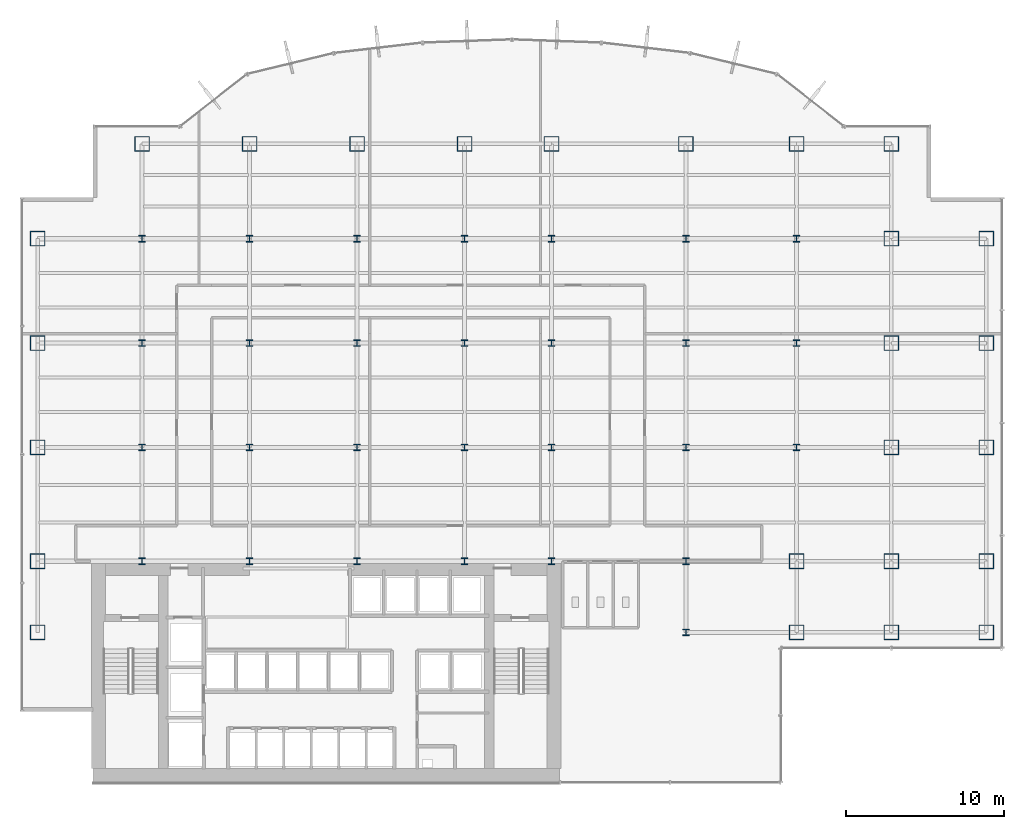
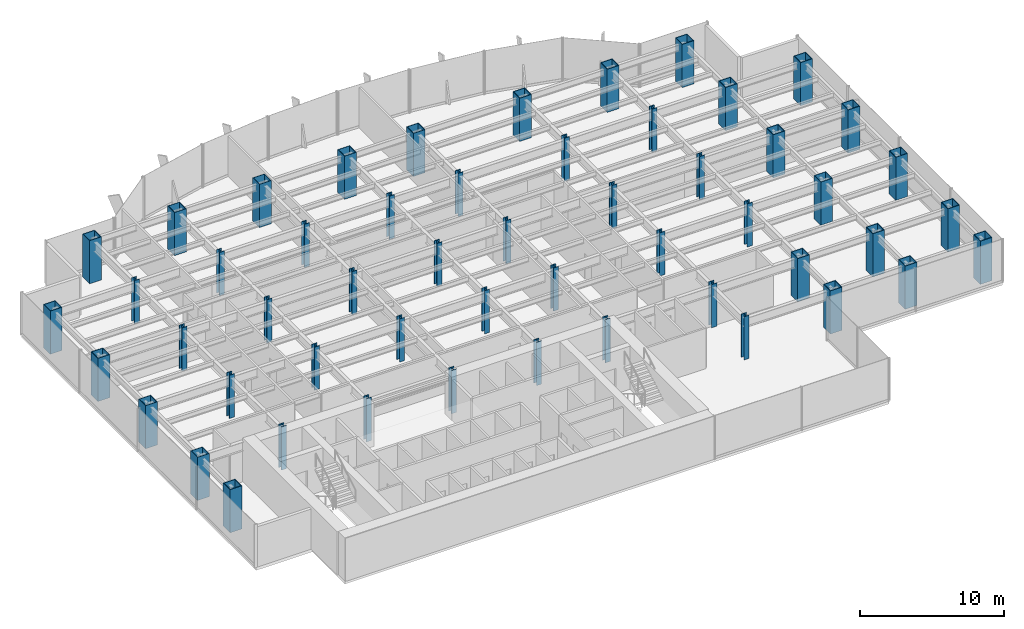
# One storey, part 1 of 22: 53 columns.
"""IFC4 building model written with IfcOpenShell, lengths in metres."""

import ifcopenshell
import ifcopenshell.guid

model = None  # the IFC model being written
_history = None  # IfcOwnerHistory: only IFC2X3 demands one
_inside = {}  # id of a spatial element -> (the spatial element, [elements in it])
_under = {}  # id of a project, library or spatial element -> (it, [spatial elements below it])
_declared = {}  # id of a project -> (the project, [libraries it declares])
_typed = {}  # id of a type object -> (the type object, [elements of that type])
_made_of = {}  # id of a material, layer set ... -> (it, [elements and type objects made of it])


def new_model(schema):
    """Start an empty IFC model of exactly this schema.

    Asked for "IFC4X3", IfcOpenShell would pick the latest addendum, in which some entities
    have other attributes; the version numbers below select the first issue.
    IFC2X3 requires an IfcOwnerHistory on every rooted entity: one is made here for all.
    """
    global model, _history
    if schema == "IFC4X3":
        model = ifcopenshell.file(schema_version=(4, 3, 0, 0))
    else:
        model = ifcopenshell.file(schema=schema)
    _inside.clear()
    _under.clear()
    _declared.clear()
    _typed.clear()
    _made_of.clear()
    _history = None
    if model.schema == "IFC2X3":
        org = make("IfcOrganization", Name="unknown")
        user = make(
            "IfcPersonAndOrganization",
            ThePerson=make("IfcPerson", FamilyName="unknown"),
            TheOrganization=org,
        )
        app = make(
            "IfcApplication",
            ApplicationDeveloper=org,
            Version="unknown",
            ApplicationFullName="unknown",
            ApplicationIdentifier="unknown",
        )
        _history = make(
            "IfcOwnerHistory",
            OwningUser=user,
            OwningApplication=app,
            ChangeAction="ADDED",
            CreationDate=0,
        )
    return model


def make(cls, **values):
    """One entity of the class cls with the attributes given. An attribute that is None is left unset."""
    return model.create_entity(
        cls, **{name: value for name, value in values.items() if value is not None}
    )


def rooted(cls, **values):
    """An entity with a GlobalId (a new one), such as an element, a storey or a relation."""
    return make(cls, GlobalId=ifcopenshell.guid.new(), OwnerHistory=_history, **values)


def si_unit(unit_type, name, prefix=None):
    """IfcSIUnit, for example si_unit("LENGTHUNIT", "METRE", prefix="MILLI")."""
    return make("IfcSIUnit", UnitType=unit_type, Prefix=prefix, Name=name)


def derived_unit(unit_type, elements):
    """IfcDerivedUnit: a product of units, each with its exponent."""
    return make(
        "IfcDerivedUnit",
        Elements=[
            make("IfcDerivedUnitElement", Unit=unit, Exponent=power)
            for unit, power in elements
        ],
        UnitType=unit_type,
    )


def assignment(units):
    """IfcUnitAssignment: the units of a project."""
    return None if units is None else make("IfcUnitAssignment", Units=units)


def point(xyz):
    """IfcCartesianPoint."""
    return None if xyz is None else make("IfcCartesianPoint", Coordinates=xyz)


def direction(xyz):
    """IfcDirection."""
    return None if xyz is None else make("IfcDirection", DirectionRatios=xyz)


def frame(location, z_axis=None, x_axis=None):
    """IfcAxis2Placement3D, a coordinate frame: its origin and axes. An axis left out is left unset."""
    return make(
        "IfcAxis2Placement3D",
        Location=point(location),
        Axis=direction(z_axis),
        RefDirection=direction(x_axis),
    )


def frame_2d(location, x_axis=None):
    """IfcAxis2Placement2D, a coordinate frame in the plane: its origin and x axis."""
    return make(
        "IfcAxis2Placement2D", Location=point(location), RefDirection=direction(x_axis)
    )


def origin():
    """The frame at (0, 0, 0) with its axes left unset."""
    return frame((0.0, 0.0, 0.0))


def origin_2d():
    """The frame at (0, 0) in the plane with its x axis left unset."""
    return frame_2d((0.0, 0.0))


def place(relative_to, where):
    """IfcLocalPlacement: puts the frame where relative to a parent placement (None: the world)."""
    return make(
        "IfcLocalPlacement", PlacementRelTo=relative_to, RelativePlacement=where
    )


def context(
    kind, dimensions, precision=None, world=None, true_north=None, identifier=None
):
    """IfcGeometricRepresentationContext, for example the 3D "Model" context."""
    return make(
        "IfcGeometricRepresentationContext",
        ContextIdentifier=identifier,
        ContextType=kind,
        CoordinateSpaceDimension=dimensions,
        Precision=precision,
        WorldCoordinateSystem=world,
        TrueNorth=true_north,
    )


def subcontext(parent, identifier, kind, view, scale=None):
    """IfcGeometricRepresentationSubContext, for example "Body" below "Model"."""
    return make(
        "IfcGeometricRepresentationSubContext",
        ContextIdentifier=identifier,
        ContextType=kind,
        ParentContext=parent,
        TargetScale=scale,
        TargetView=view,
    )


def project(units=None, contexts=None):
    """IfcProject with its units and contexts."""
    return rooted(
        "IfcProject",
        Name="project",
        RepresentationContexts=contexts,
        UnitsInContext=assignment(units),
    )


def spatial(cls, under=None, at=None, **own):
    """A site, building, storey or space (cls), placed at a placement, below another one or the project."""
    s = rooted(cls, ObjectPlacement=at, **own)
    if under is not None:
        _under.setdefault(under.id(), (under, []))[1].append(s)
    return s


def profile(cls, at=None, kind="AREA", **sizes):
    """A parametric profile (cls). Its sizes go by their IFC names, for example OverallWidth=200.0."""
    return make(cls, ProfileType=kind, Position=at, **sizes)


def hollow_rectangle(**sizes):
    """IfcRectangleHollowProfileDef."""
    return profile("IfcRectangleHollowProfileDef", **sizes)


def i_section(**sizes):
    """IfcIShapeProfileDef."""
    return profile("IfcIShapeProfileDef", **sizes)


def extrude(swept, where, along, depth):
    """IfcExtrudedAreaSolid: the profile swept, set in the frame where, extruded along a direction by depth."""
    return make(
        "IfcExtrudedAreaSolid",
        SweptArea=swept,
        Position=where,
        ExtrudedDirection=direction(along),
        Depth=depth,
    )


def shape(context_of_items, identifier, shape_type, items):
    """IfcShapeRepresentation: the items that make up one representation, for example the "Body"."""
    return make(
        "IfcShapeRepresentation",
        ContextOfItems=context_of_items,
        RepresentationIdentifier=identifier,
        RepresentationType=shape_type,
        Items=items,
    )


def source(mapping_origin, context_of_items, identifier, shape_type, items):
    """IfcRepresentationMap: a shape defined once, which mapped items show again and again."""
    return make(
        "IfcRepresentationMap",
        MappingOrigin=mapping_origin,
        MappedRepresentation=shape(context_of_items, identifier, shape_type, items),
    )


def transform(
    local_origin,
    x_axis=None,
    y_axis=None,
    z_axis=None,
    scale=None,
    scale2=None,
    scale3=None,
    uniform=True,
):
    """IfcCartesianTransformationOperator3D, or its non-uniform kind. x_axis, y_axis, z_axis: its Axis1, 2, 3."""
    if uniform:
        return make(
            "IfcCartesianTransformationOperator3D",
            Axis1=direction(x_axis),
            Axis2=direction(y_axis),
            LocalOrigin=point(local_origin),
            Scale=scale,
            Axis3=direction(z_axis),
        )
    return make(
        "IfcCartesianTransformationOperator3DnonUniform",
        Axis1=direction(x_axis),
        Axis2=direction(y_axis),
        LocalOrigin=point(local_origin),
        Scale=scale,
        Axis3=direction(z_axis),
        Scale2=scale2,
        Scale3=scale3,
    )


def mapped(mapping_source, mapping_target):
    """IfcMappedItem: shows the shape of a source again, moved by a transform."""
    return make(
        "IfcMappedItem", MappingSource=mapping_source, MappingTarget=mapping_target
    )


def material(Name=None, Category=None):
    """IfcMaterial."""
    return make("IfcMaterial", Name=Name, Category=Category)


def material_profile(
    of_material, cross_section, Name=None, Category=None, Priority=None
):
    """IfcMaterialProfile: a cross section and its material."""
    return make(
        "IfcMaterialProfile",
        Name=Name,
        Material=of_material,
        Profile=cross_section,
        Priority=Priority,
        Category=Category,
    )


def profile_set(profiles, Name=None, composite=None):
    """IfcMaterialProfileSet."""
    return make(
        "IfcMaterialProfileSet",
        Name=Name,
        MaterialProfiles=profiles,
        CompositeProfile=composite,
    )


def made_of(thing, what):
    """Note that an element or type object is made of a material, layer set ...; save() writes the relation."""
    if what is not None:
        _made_of.setdefault(what.id(), (what, []))[1].append(thing)
    return thing


def type_object(cls, material=None, **own):
    """A type object (cls), such as IfcWallType, which elements share."""
    return made_of(rooted(cls, **own), material)


def element(
    cls,
    number,
    at=None,
    inside=None,
    cuts=None,
    type_object=None,
    material=None,
    context=None,
    identifier="Body",
    shape_type=None,
    held_by="IfcProductDefinitionShape",
    body=None,
    shapes=None,
    **own,
):
    """One element of the class cls, such as IfcWall. Its Tag is "e" and its number.

    at: its placement. inside: the storey or other place that contains it. cuts: it is an
    opening in that element (IfcRelVoidsElement). A single representation is given by context,
    identifier, shape_type and body (its items); several are given by shapes. held_by: the class
    of the entity that holds the representations. save() writes the other relations.
    """
    e = rooted(cls, Tag="e%d" % number, ObjectPlacement=at, **own)
    if body is not None:
        shapes = [shape(context, identifier, shape_type, body)]
    if shapes is not None:
        e.Representation = make(held_by, Representations=shapes)
    if inside is not None:
        _inside.setdefault(inside.id(), (inside, []))[1].append(e)
    if cuts is not None:
        rooted(
            "IfcRelVoidsElement", RelatingBuildingElement=cuts, RelatedOpeningElement=e
        )
    if type_object is not None:
        _typed.setdefault(type_object.id(), (type_object, []))[1].append(e)
    return made_of(e, material)


def aggregate(whole, parts):
    """IfcRelAggregates: a whole, such as a stair, and the parts it consists of."""
    return rooted("IfcRelAggregates", RelatingObject=whole, RelatedObjects=parts)


def save(model, path):
    """Write the relations noted so far, then the file.

    IfcRelAggregates (storeys below a building ...), IfcRelContainedInSpatialStructure (elements
    in a storey), IfcRelDefinesByType, IfcRelAssociatesMaterial and IfcRelDeclares: one each for
    every whole, place, type object, material and project.
    """
    for whole, parts in _under.values():
        aggregate(whole, parts)
    for where, things in _inside.values():
        rooted(
            "IfcRelContainedInSpatialStructure",
            RelatedElements=things,
            RelatingStructure=where,
        )
    for kind, things in _typed.values():
        rooted("IfcRelDefinesByType", RelatedObjects=things, RelatingType=kind)
    for what, things in _made_of.values():
        rooted("IfcRelAssociatesMaterial", RelatedObjects=things, RelatingMaterial=what)
    for by, libraries in _declared.values():
        rooted("IfcRelDeclares", RelatingContext=by, RelatedDefinitions=libraries)
    model.write(path)


model = new_model("IFC4")

# Units and contexts
model_context = context("Model", 3, precision=1e-05, world=origin(), true_north=direction((0.0, 1.0)))
body_context = subcontext(model_context, "Body", "Model", "MODEL_VIEW")
ifc_project = project(units=[si_unit("LENGTHUNIT", "METRE"), si_unit("AREAUNIT", "SQUARE_METRE"), si_unit("VOLUMEUNIT", "CUBIC_METRE"), si_unit("PLANEANGLEUNIT", "RADIAN"), si_unit("MASSUNIT", "GRAM", prefix="KILO"), derived_unit("THERMALTRANSMITTANCEUNIT", [(si_unit("POWERUNIT", "WATT"), 1), (si_unit("LENGTHUNIT", "METRE"), -2), (si_unit("THERMODYNAMICTEMPERATUREUNIT", "KELVIN"), -1)])], contexts=[model_context])

# Site, building, storey
site_placement = place(None, origin())
site = spatial("IfcSite", under=ifc_project, at=site_placement, CompositionType="ELEMENT")
building_placement = place(site_placement, origin())
building = spatial("IfcBuilding", under=site, at=building_placement, Name="Skarnbrae Concourse Arena and Tower", CompositionType="ELEMENT")
storey_placement = place(building_placement, frame((0.0, 0.0, 72.64990234375)))
storey = spatial("IfcBuildingStorey", under=building, at=storey_placement, Name="L17", CompositionType="ELEMENT", Elevation=72.64990234375)

# Columns
ifc_material = material(Name="Steel CSA G40.21 350W", Category="steel")
ifc_material_profile_1 = material_profile(ifc_material, hollow_rectangle(XDim=0.949951171875, YDim=0.949951171875, WallThickness=0.044921875, at=origin_2d()), Name="BOX950X950X45")
ifc_profile_set_1 = profile_set([ifc_material_profile_1], Name="Steel CSA G40.21 350W")
column_type_1 = type_object("IfcColumnType", Name="COL-TUBE-BOX950", PredefinedType="COLUMN", material=ifc_profile_set_1)
shared_shape_1 = source(origin(), body_context, "Body", "SweptSolid", [
    extrude(hollow_rectangle(XDim=0.949951171875, YDim=0.949951171875, WallThickness=0.044921875, at=origin_2d()), origin(), (0.0, 0.0, 1.0), 3.650146484375),
])
for number, where, z_axis, x_axis, name in (
    (1, (1.0, 9.5, 0.0), (0.0, 0.0, 1.0), (1.0, 0.0, 0.0), "L17 Tower column PC_01_01"),
    (2, (1.0, 14.0, 0.0), (0.0, 0.0, 1.0), (1.0, 0.0, 0.0), "L17 Tower column PC_01_02"),
    (3, (1.0, 21.199951171875, 0.0), (0.0, 0.0, 1.0), (1.0, 0.0, 0.0), "L17 Tower column PC_01_03"),
    (4, (1.0, 27.800048828125, 0.0), (0.0, 0.0, 1.0), (1.0, 0.0, 0.0), "L17 Tower column PC_01_04"),
    (5, (1.0, 34.39990234375, 0.0), (0.0, 0.0, 1.0), (1.0, 0.0, 0.0), "L17 Tower column PC_01_05"),
    (6, (7.60009765625, 40.39990234375, 0.0), (0.0, 0.0, 1.0), (1.0, 0.0, 0.0), "L17 Tower column PC_02_06"),
    (7, (14.39990234375, 40.39990234375, 0.0), (0.0, 0.0, 1.0), (1.0, 0.0, 0.0), "L17 Tower column PC_03_06"),
    (8, (21.199951171875, 40.39990234375, 0.0), (0.0, 0.0, 1.0), (1.0, 0.0, 0.0), "L17 Tower column PC_04_06"),
    (9, (28.0, 40.39990234375, 0.0), (0.0, 0.0, 1.0), (1.0, 0.0, 0.0), "L17 Tower column PC_05_06"),
    (10, (33.5, 40.39990234375, 0.0), (0.0, 0.0, 1.0), (1.0, 0.0, 0.0), "L17 Tower column PC_06_06"),
    (11, (42.0, 40.39990234375, 0.0), (0.0, 0.0, 1.0), (1.0, 0.0, 0.0), "L17 Tower column PC_07_06"),
    (12, (49.0, 9.5, 0.0), (0.0, 0.0, 1.0), (1.0, 0.0, 0.0), "L17 Tower column PC_08_01"),
    (13, (49.0, 14.0, 0.0), (0.0, 0.0, 1.0), (1.0, 0.0, 0.0), "L17 Tower column PC_08_02"),
    (14, (49.0, 40.39990234375, 0.0), (0.0, 0.0, 1.0), (1.0, 0.0, 0.0), "L17 Tower column PC_08_06"),
    (15, (55.0, 9.5, 0.0), (0.0, 0.0, 1.0), (1.0, 0.0, 0.0), "L17 Tower column PC_09_01"),
    (16, (55.0, 14.0, 0.0), (0.0, 0.0, 1.0), (1.0, 0.0, 0.0), "L17 Tower column PC_09_02"),
    (17, (55.0, 21.199951171875, 0.0), (0.0, 0.0, 1.0), (1.0, 0.0, 0.0), "L17 Tower column PC_09_03"),
    (18, (55.0, 27.800048828125, 0.0), (0.0, 0.0, 1.0), (1.0, 0.0, 0.0), "L17 Tower column PC_09_04"),
    (19, (55.0, 34.39990234375, 0.0), (0.0, 0.0, 1.0), (1.0, 0.0, 0.0), "L17 Tower column PC_09_05"),
    (20, (55.0, 40.39990234375, 0.0), (0.0, 0.0, 1.0), (1.0, 0.0, 0.0), "L17 Tower column PC_09_06"),
    (21, (61.0, 9.5, 0.0), (0.0, 0.0, 1.0), (1.0, 0.0, 0.0), "L17 Tower column PC_10_01"),
    (22, (61.0, 14.0, 0.0), (0.0, 0.0, 1.0), (1.0, 0.0, 0.0), "L17 Tower column PC_10_02"),
    (23, (61.0, 21.199951171875, 0.0), (0.0, 0.0, 1.0), (1.0, 0.0, 0.0), "L17 Tower column PC_10_03"),
    (24, (61.0, 27.800048828125, 0.0), (0.0, 0.0, 1.0), (1.0, 0.0, 0.0), "L17 Tower column PC_10_04"),
    (25, (61.0, 34.39990234375, 0.0), (0.0, 0.0, 1.0), (1.0, 0.0, 0.0), "L17 Tower column PC_10_05"),
):
    element("IfcColumn", number, at=place(storey_placement, frame(where, z_axis=z_axis, x_axis=x_axis)), inside=storey, type_object=column_type_1, Name=name, PredefinedType="COLUMN", context=body_context, shape_type="MappedRepresentation", body=[
        mapped(shared_shape_1, transform((0.0, 0.0, 0.0))),
    ])
ifc_material_profile_2 = material_profile(ifc_material, i_section(OverallWidth=0.406005859375, OverallDepth=0.416015625, WebThickness=0.02978515625, FlangeThickness=0.048095703125, at=origin_2d()), Name="W360X382")
ifc_profile_set_2 = profile_set([ifc_material_profile_2], Name="Steel CSA G40.21 350W")
column_type_2 = type_object("IfcColumnType", Name="COL-INT-W360X382", PredefinedType="COLUMN", material=ifc_profile_set_2)
shared_shape_2 = source(origin(), body_context, "Body", "SweptSolid", [
    extrude(i_section(OverallWidth=0.406005859375, OverallDepth=0.416015625, WebThickness=0.02978515625, FlangeThickness=0.048095703125, at=origin_2d()), origin(), (0.0, 0.0, 1.0), 3.650146484375),
])
for number, where, z_axis, x_axis, name in (
    (26, (7.60009765625, 14.0, 0.0), (0.0, 0.0, 1.0), (1.0, 0.0, 0.0), "L17 Tower column IC_02_02"),
    (27, (7.60009765625, 21.199951171875, 0.0), (0.0, 0.0, 1.0), (1.0, 0.0, 0.0), "L17 Tower column IC_02_03"),
    (28, (7.60009765625, 27.800048828125, 0.0), (0.0, 0.0, 1.0), (1.0, 0.0, 0.0), "L17 Tower column IC_02_04"),
    (29, (7.60009765625, 34.39990234375, 0.0), (0.0, 0.0, 1.0), (1.0, 0.0, 0.0), "L17 Tower column IC_02_05"),
    (30, (14.39990234375, 14.0, 0.0), (0.0, 0.0, 1.0), (1.0, 0.0, 0.0), "L17 Tower column IC_03_02"),
    (31, (14.39990234375, 21.199951171875, 0.0), (0.0, 0.0, 1.0), (1.0, 0.0, 0.0), "L17 Tower column IC_03_03"),
    (32, (14.39990234375, 27.800048828125, 0.0), (0.0, 0.0, 1.0), (1.0, 0.0, 0.0), "L17 Tower column IC_03_04"),
    (33, (14.39990234375, 34.39990234375, 0.0), (0.0, 0.0, 1.0), (1.0, 0.0, 0.0), "L17 Tower column IC_03_05"),
    (34, (21.199951171875, 14.0, 0.0), (0.0, 0.0, 1.0), (1.0, 0.0, 0.0), "L17 Tower column IC_04_02"),
    (35, (21.199951171875, 21.199951171875, 0.0), (0.0, 0.0, 1.0), (1.0, 0.0, 0.0), "L17 Tower column IC_04_03"),
    (36, (21.199951171875, 27.800048828125, 0.0), (0.0, 0.0, 1.0), (1.0, 0.0, 0.0), "L17 Tower column IC_04_04"),
    (37, (21.199951171875, 34.39990234375, 0.0), (0.0, 0.0, 1.0), (1.0, 0.0, 0.0), "L17 Tower column IC_04_05"),
    (38, (28.0, 14.0, 0.0), (0.0, 0.0, 1.0), (1.0, 0.0, 0.0), "L17 Tower column IC_05_02"),
    (39, (28.0, 21.199951171875, 0.0), (0.0, 0.0, 1.0), (1.0, 0.0, 0.0), "L17 Tower column IC_05_03"),
    (40, (28.0, 27.800048828125, 0.0), (0.0, 0.0, 1.0), (1.0, 0.0, 0.0), "L17 Tower column IC_05_04"),
    (41, (28.0, 34.39990234375, 0.0), (0.0, 0.0, 1.0), (1.0, 0.0, 0.0), "L17 Tower column IC_05_05"),
    (42, (33.5, 14.0, 0.0), (0.0, 0.0, 1.0), (1.0, 0.0, 0.0), "L17 Tower column IC_06_02"),
    (43, (33.5, 21.199951171875, 0.0), (0.0, 0.0, 1.0), (1.0, 0.0, 0.0), "L17 Tower column IC_06_03"),
    (44, (33.5, 27.800048828125, 0.0), (0.0, 0.0, 1.0), (1.0, 0.0, 0.0), "L17 Tower column IC_06_04"),
    (45, (33.5, 34.39990234375, 0.0), (0.0, 0.0, 1.0), (1.0, 0.0, 0.0), "L17 Tower column IC_06_05"),
    (46, (42.0, 9.5, 0.0), (0.0, 0.0, 1.0), (1.0, 0.0, 0.0), "L17 Tower column IC_07_01"),
    (47, (42.0, 14.0, 0.0), (0.0, 0.0, 1.0), (1.0, 0.0, 0.0), "L17 Tower column IC_07_02"),
    (48, (42.0, 21.199951171875, 0.0), (0.0, 0.0, 1.0), (1.0, 0.0, 0.0), "L17 Tower column IC_07_03"),
    (49, (42.0, 27.800048828125, 0.0), (0.0, 0.0, 1.0), (1.0, 0.0, 0.0), "L17 Tower column IC_07_04"),
    (50, (42.0, 34.39990234375, 0.0), (0.0, 0.0, 1.0), (1.0, 0.0, 0.0), "L17 Tower column IC_07_05"),
    (51, (49.0, 21.199951171875, 0.0), (0.0, 0.0, 1.0), (1.0, 0.0, 0.0), "L17 Tower column IC_08_03"),
    (52, (49.0, 27.800048828125, 0.0), (0.0, 0.0, 1.0), (1.0, 0.0, 0.0), "L17 Tower column IC_08_04"),
    (53, (49.0, 34.39990234375, 0.0), (0.0, 0.0, 1.0), (1.0, 0.0, 0.0), "L17 Tower column IC_08_05"),
):
    element("IfcColumn", number, at=place(storey_placement, frame(where, z_axis=z_axis, x_axis=x_axis)), inside=storey, type_object=column_type_2, Name=name, PredefinedType="COLUMN", context=body_context, shape_type="MappedRepresentation", body=[
        mapped(shared_shape_2, transform((0.0, 0.0, 0.0))),
    ])

save(model, "model.ifc")
